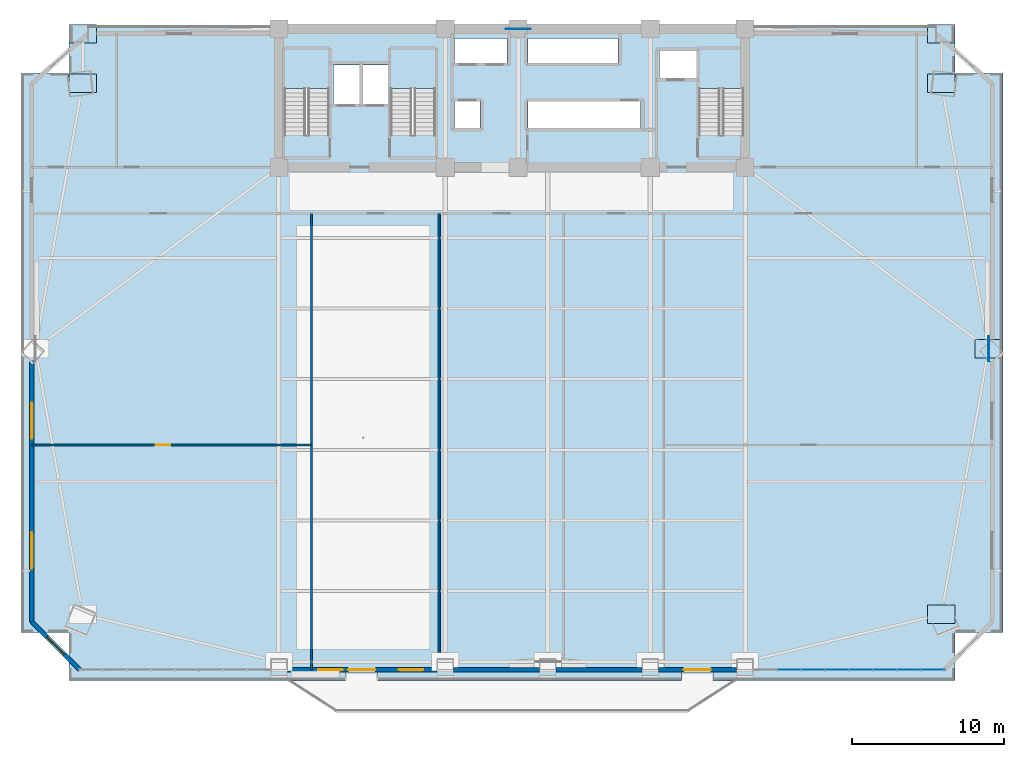
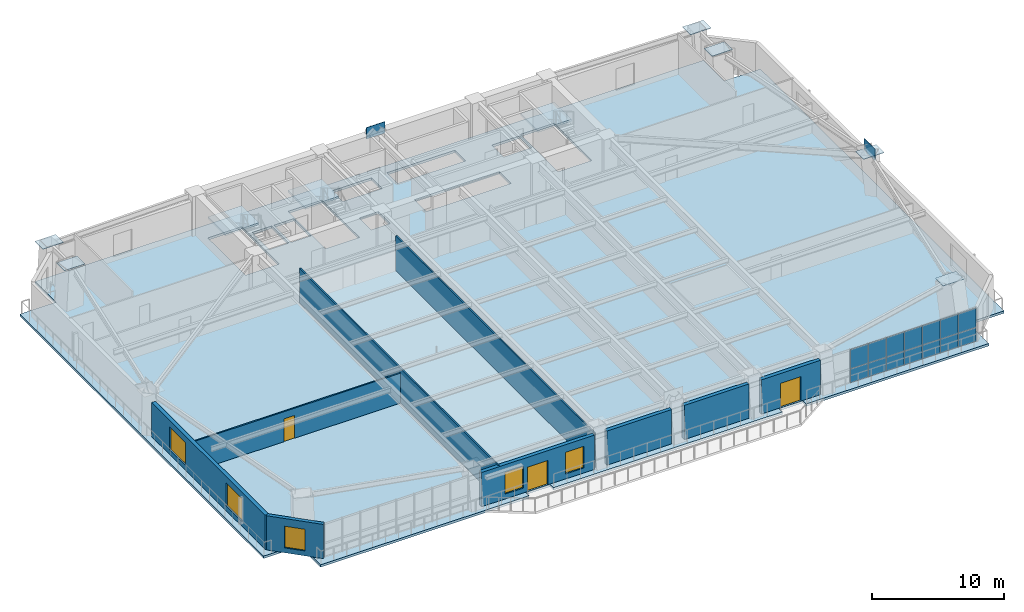
# One storey, part 8 of 17: 22 plates, 9 walls, 5 windows, 4 slabs, 3 doors, 8 openings, 4 elements without a shape of their own.
"""IFC4 building model written with IfcOpenShell, lengths in metres."""

import ifcopenshell
import ifcopenshell.guid

model = None  # the IFC model being written
_history = None  # IfcOwnerHistory: only IFC2X3 demands one
_inside = {}  # id of a spatial element -> (the spatial element, [elements in it])
_under = {}  # id of a project, library or spatial element -> (it, [spatial elements below it])
_declared = {}  # id of a project -> (the project, [libraries it declares])
_typed = {}  # id of a type object -> (the type object, [elements of that type])
_made_of = {}  # id of a material, layer set ... -> (it, [elements and type objects made of it])


def new_model(schema):
    """Start an empty IFC model of exactly this schema.

    Asked for "IFC4X3", IfcOpenShell would pick the latest addendum, in which some entities
    have other attributes; the version numbers below select the first issue.
    IFC2X3 requires an IfcOwnerHistory on every rooted entity: one is made here for all.
    """
    global model, _history
    if schema == "IFC4X3":
        model = ifcopenshell.file(schema_version=(4, 3, 0, 0))
    else:
        model = ifcopenshell.file(schema=schema)
    _inside.clear()
    _under.clear()
    _declared.clear()
    _typed.clear()
    _made_of.clear()
    _history = None
    if model.schema == "IFC2X3":
        org = make("IfcOrganization", Name="unknown")
        user = make(
            "IfcPersonAndOrganization",
            ThePerson=make("IfcPerson", FamilyName="unknown"),
            TheOrganization=org,
        )
        app = make(
            "IfcApplication",
            ApplicationDeveloper=org,
            Version="unknown",
            ApplicationFullName="unknown",
            ApplicationIdentifier="unknown",
        )
        _history = make(
            "IfcOwnerHistory",
            OwningUser=user,
            OwningApplication=app,
            ChangeAction="ADDED",
            CreationDate=0,
        )
    return model


def make(cls, **values):
    """One entity of the class cls with the attributes given. An attribute that is None is left unset."""
    return model.create_entity(
        cls, **{name: value for name, value in values.items() if value is not None}
    )


def rooted(cls, **values):
    """An entity with a GlobalId (a new one), such as an element, a storey or a relation."""
    return make(cls, GlobalId=ifcopenshell.guid.new(), OwnerHistory=_history, **values)


def si_unit(unit_type, name, prefix=None):
    """IfcSIUnit, for example si_unit("LENGTHUNIT", "METRE", prefix="MILLI")."""
    return make("IfcSIUnit", UnitType=unit_type, Prefix=prefix, Name=name)


def assignment(units):
    """IfcUnitAssignment: the units of a project."""
    return None if units is None else make("IfcUnitAssignment", Units=units)


def point(xyz):
    """IfcCartesianPoint."""
    return None if xyz is None else make("IfcCartesianPoint", Coordinates=xyz)


def direction(xyz):
    """IfcDirection."""
    return None if xyz is None else make("IfcDirection", DirectionRatios=xyz)


def frame(location, z_axis=None, x_axis=None):
    """IfcAxis2Placement3D, a coordinate frame: its origin and axes. An axis left out is left unset."""
    return make(
        "IfcAxis2Placement3D",
        Location=point(location),
        Axis=direction(z_axis),
        RefDirection=direction(x_axis),
    )


def frame_2d(location, x_axis=None):
    """IfcAxis2Placement2D, a coordinate frame in the plane: its origin and x axis."""
    return make(
        "IfcAxis2Placement2D", Location=point(location), RefDirection=direction(x_axis)
    )


def origin():
    """The frame at (0, 0, 0) with its axes left unset."""
    return frame((0.0, 0.0, 0.0))


def origin_2d():
    """The frame at (0, 0) in the plane with its x axis left unset."""
    return frame_2d((0.0, 0.0))


def place(relative_to, where):
    """IfcLocalPlacement: puts the frame where relative to a parent placement (None: the world)."""
    return make(
        "IfcLocalPlacement", PlacementRelTo=relative_to, RelativePlacement=where
    )


def context(
    kind, dimensions, precision=None, world=None, true_north=None, identifier=None
):
    """IfcGeometricRepresentationContext, for example the 3D "Model" context."""
    return make(
        "IfcGeometricRepresentationContext",
        ContextIdentifier=identifier,
        ContextType=kind,
        CoordinateSpaceDimension=dimensions,
        Precision=precision,
        WorldCoordinateSystem=world,
        TrueNorth=true_north,
    )


def subcontext(parent, identifier, kind, view, scale=None):
    """IfcGeometricRepresentationSubContext, for example "Body" below "Model"."""
    return make(
        "IfcGeometricRepresentationSubContext",
        ContextIdentifier=identifier,
        ContextType=kind,
        ParentContext=parent,
        TargetScale=scale,
        TargetView=view,
    )


def project(units=None, contexts=None):
    """IfcProject with its units and contexts."""
    return rooted(
        "IfcProject",
        Name="project",
        RepresentationContexts=contexts,
        UnitsInContext=assignment(units),
    )


def spatial(cls, under=None, at=None, **own):
    """A site, building, storey or space (cls), placed at a placement, below another one or the project."""
    s = rooted(cls, ObjectPlacement=at, **own)
    if under is not None:
        _under.setdefault(under.id(), (under, []))[1].append(s)
    return s


def polyline(points):
    """IfcPolyline through the points."""
    return make("IfcPolyline", Points=[point(p) for p in points])


def profile(cls, at=None, kind="AREA", **sizes):
    """A parametric profile (cls). Its sizes go by their IFC names, for example OverallWidth=200.0."""
    return make(cls, ProfileType=kind, Position=at, **sizes)


def rectangle(**sizes):
    """IfcRectangleProfileDef."""
    return profile("IfcRectangleProfileDef", **sizes)


def outline(outer, holes=None, kind="AREA"):
    """IfcArbitraryClosedProfileDef: a profile drawn as a closed curve; with holes, ...WithVoids."""
    if holes is None:
        return make("IfcArbitraryClosedProfileDef", ProfileType=kind, OuterCurve=outer)
    return make(
        "IfcArbitraryProfileDefWithVoids",
        ProfileType=kind,
        OuterCurve=outer,
        InnerCurves=holes,
    )


def extrude(swept, where, along, depth):
    """IfcExtrudedAreaSolid: the profile swept, set in the frame where, extruded along a direction by depth."""
    return make(
        "IfcExtrudedAreaSolid",
        SweptArea=swept,
        Position=where,
        ExtrudedDirection=direction(along),
        Depth=depth,
    )


def shape(context_of_items, identifier, shape_type, items):
    """IfcShapeRepresentation: the items that make up one representation, for example the "Body"."""
    return make(
        "IfcShapeRepresentation",
        ContextOfItems=context_of_items,
        RepresentationIdentifier=identifier,
        RepresentationType=shape_type,
        Items=items,
    )


def source(mapping_origin, context_of_items, identifier, shape_type, items):
    """IfcRepresentationMap: a shape defined once, which mapped items show again and again."""
    return make(
        "IfcRepresentationMap",
        MappingOrigin=mapping_origin,
        MappedRepresentation=shape(context_of_items, identifier, shape_type, items),
    )


def transform(
    local_origin,
    x_axis=None,
    y_axis=None,
    z_axis=None,
    scale=None,
    scale2=None,
    scale3=None,
    uniform=True,
):
    """IfcCartesianTransformationOperator3D, or its non-uniform kind. x_axis, y_axis, z_axis: its Axis1, 2, 3."""
    if uniform:
        return make(
            "IfcCartesianTransformationOperator3D",
            Axis1=direction(x_axis),
            Axis2=direction(y_axis),
            LocalOrigin=point(local_origin),
            Scale=scale,
            Axis3=direction(z_axis),
        )
    return make(
        "IfcCartesianTransformationOperator3DnonUniform",
        Axis1=direction(x_axis),
        Axis2=direction(y_axis),
        LocalOrigin=point(local_origin),
        Scale=scale,
        Axis3=direction(z_axis),
        Scale2=scale2,
        Scale3=scale3,
    )


def mapped(mapping_source, mapping_target):
    """IfcMappedItem: shows the shape of a source again, moved by a transform."""
    return make(
        "IfcMappedItem", MappingSource=mapping_source, MappingTarget=mapping_target
    )


def material(Name=None, Category=None):
    """IfcMaterial."""
    return make("IfcMaterial", Name=Name, Category=Category)


def layer(
    of_material, thickness, ventilated=None, Name=None, Category=None, Priority=None
):
    """IfcMaterialLayer: one layer of a wall or slab, of a material (None: an air gap)."""
    return make(
        "IfcMaterialLayer",
        Material=of_material,
        LayerThickness=thickness,
        IsVentilated=ventilated,
        Name=Name,
        Category=Category,
        Priority=Priority,
    )


def layer_set(layers, Name=None):
    """IfcMaterialLayerSet."""
    return make("IfcMaterialLayerSet", MaterialLayers=layers, LayerSetName=Name)


def made_of(thing, what):
    """Note that an element or type object is made of a material, layer set ...; save() writes the relation."""
    if what is not None:
        _made_of.setdefault(what.id(), (what, []))[1].append(thing)
    return thing


def type_object(cls, material=None, **own):
    """A type object (cls), such as IfcWallType, which elements share."""
    return made_of(rooted(cls, **own), material)


def element(
    cls,
    number,
    at=None,
    inside=None,
    cuts=None,
    type_object=None,
    material=None,
    context=None,
    identifier="Body",
    shape_type=None,
    held_by="IfcProductDefinitionShape",
    body=None,
    shapes=None,
    **own,
):
    """One element of the class cls, such as IfcWall. Its Tag is "e" and its number.

    at: its placement. inside: the storey or other place that contains it. cuts: it is an
    opening in that element (IfcRelVoidsElement). A single representation is given by context,
    identifier, shape_type and body (its items); several are given by shapes. held_by: the class
    of the entity that holds the representations. save() writes the other relations.
    """
    e = rooted(cls, Tag="e%d" % number, ObjectPlacement=at, **own)
    if body is not None:
        shapes = [shape(context, identifier, shape_type, body)]
    if shapes is not None:
        e.Representation = make(held_by, Representations=shapes)
    if inside is not None:
        _inside.setdefault(inside.id(), (inside, []))[1].append(e)
    if cuts is not None:
        rooted(
            "IfcRelVoidsElement", RelatingBuildingElement=cuts, RelatedOpeningElement=e
        )
    if type_object is not None:
        _typed.setdefault(type_object.id(), (type_object, []))[1].append(e)
    return made_of(e, material)


def fill(opening, filler):
    """IfcRelFillsElement: the door or window that sits in an opening."""
    return rooted(
        "IfcRelFillsElement",
        RelatingOpeningElement=opening,
        RelatedBuildingElement=filler,
    )


def aggregate(whole, parts):
    """IfcRelAggregates: a whole, such as a stair, and the parts it consists of."""
    return rooted("IfcRelAggregates", RelatingObject=whole, RelatedObjects=parts)


def save(model, path):
    """Write the relations noted so far, then the file.

    IfcRelAggregates (storeys below a building ...), IfcRelContainedInSpatialStructure (elements
    in a storey), IfcRelDefinesByType, IfcRelAssociatesMaterial and IfcRelDeclares: one each for
    every whole, place, type object, material and project.
    """
    for whole, parts in _under.values():
        aggregate(whole, parts)
    for where, things in _inside.values():
        rooted(
            "IfcRelContainedInSpatialStructure",
            RelatedElements=things,
            RelatingStructure=where,
        )
    for kind, things in _typed.values():
        rooted("IfcRelDefinesByType", RelatedObjects=things, RelatingType=kind)
    for what, things in _made_of.values():
        rooted("IfcRelAssociatesMaterial", RelatedObjects=things, RelatingMaterial=what)
    for by, libraries in _declared.values():
        rooted("IfcRelDeclares", RelatingContext=by, RelatedDefinitions=libraries)
    model.write(path)


model = new_model("IFC4")

# Units and contexts
model_context = context("Model", 3, precision=1e-05, world=origin(), true_north=direction((0.0, 1.0)))
body_context = subcontext(model_context, "Body", "Model", "MODEL_VIEW")
ifc_project = project(units=[si_unit("LENGTHUNIT", "METRE"), si_unit("AREAUNIT", "SQUARE_METRE"), si_unit("VOLUMEUNIT", "CUBIC_METRE"), si_unit("PLANEANGLEUNIT", "RADIAN"), si_unit("MASSUNIT", "GRAM", prefix="KILO")], contexts=[model_context])

# Site, building, storey
site_placement = place(None, origin())
site = spatial("IfcSite", under=ifc_project, at=site_placement, CompositionType="ELEMENT")
building_placement = place(site_placement, origin())
building = spatial("IfcBuilding", under=site, at=building_placement, Name="Giltprow Tower", CompositionType="ELEMENT")
storey_placement = place(building_placement, frame((0.0, 0.0, 57.199951171875)))
storey = spatial("IfcBuildingStorey", under=building, at=storey_placement, Name="L14", CompositionType="ELEMENT", Elevation=57.199951171875)

# Slab
ifc_material_1 = material(Name="Concrete C40", Category="concrete")
ifc_layer_1 = layer(ifc_material_1, 0.219970703125, Name="Concrete C40")
ifc_layer_set_1 = layer_set([ifc_layer_1], Name="Concrete C40")
slab_type_1 = type_object("IfcSlabType", Name="SLB-OFF-220", PredefinedType="FLOOR", material=ifc_layer_set_1)
slab_1_placement = place(storey_placement, frame((0.0, 0.0, -0.219970703125)))
element("IfcSlab", 1, at=slab_1_placement, inside=storey, type_object=slab_type_1, Name="L14 Structural Composite Floor Slab", PredefinedType="FLOOR", context=body_context, shape_type="SweptSolid", body=[
    extrude(outline(polyline([(6.01806640625, 3.654052734375), (6.01806640625, 6.802001953125), (2.8701171875, 6.802001953125), (2.8701171875, 43.652099609375), (6.01806640625, 43.652099609375), (6.01806640625, 46.800048828125), (64.382080078125, 46.800048828125), (64.382080078125, 43.652099609375), (67.530029296875, 43.652099609375), (67.530029296875, 6.802001953125), (64.382080078125, 6.802001953125), (64.382080078125, 3.654052734375), (48.449951171875, 3.654052734375), (48.449951171875, 4.174072265625), (46.35009765625, 4.174072265625), (46.35009765625, 3.654052734375), (26.35009765625, 3.654052734375), (26.35009765625, 4.174072265625), (24.25, 4.174072265625), (24.25, 3.654052734375), (6.01806640625, 3.654052734375)]), holes=[polyline([(33.10009765625, 41.800048828125), (31.419921875, 41.800048828125), (31.419921875, 40.0), (33.10009765625, 40.0), (33.10009765625, 41.800048828125)]), polyline([(23.159912109375, 39.570068359375), (23.159912109375, 45.25), (20.199951171875, 45.25), (20.199951171875, 39.570068359375), (23.159912109375, 39.570068359375)]), polyline([(30.159912109375, 45.25), (27.199951171875, 45.25), (27.199951171875, 39.570068359375), (30.159912109375, 39.570068359375), (30.159912109375, 45.25)]), polyline([(25.169921875, 41.60009765625), (25.169921875, 44.199951171875), (23.449951171875, 44.199951171875), (23.449951171875, 41.60009765625), (25.169921875, 41.60009765625)]), polyline([(27.10009765625, 41.60009765625), (27.10009765625, 44.199951171875), (25.35009765625, 44.199951171875), (25.35009765625, 41.60009765625), (27.10009765625, 41.60009765625)]), polyline([(43.659912109375, 40.0), (43.659912109375, 41.800048828125), (36.239990234375, 41.800048828125), (36.239990234375, 40.0), (43.659912109375, 40.0)]), polyline([(50.4599609375, 39.570068359375), (50.4599609375, 45.25), (47.5, 45.25), (47.5, 39.570068359375), (50.4599609375, 39.570068359375)]), polyline([(47.3798828125, 45.10009765625), (44.919921875, 45.10009765625), (44.919921875, 43.300048828125), (47.3798828125, 43.300048828125), (47.3798828125, 45.10009765625)]), polyline([(34.8798828125, 44.300048828125), (34.8798828125, 45.919921875), (31.419921875, 45.919921875), (31.419921875, 44.300048828125), (34.8798828125, 44.300048828125)]), polyline([(42.169921875, 44.300048828125), (42.169921875, 45.919921875), (36.239990234375, 45.919921875), (36.239990234375, 44.300048828125), (42.169921875, 44.300048828125)])]), origin(), (0.0, 0.0, 1.0), 0.219970703125),
])

# Stair, slab
stair_type_1 = type_object("IfcStairType", Name="STR-ST-1", PredefinedType="HALF_TURN_STAIR", material=ifc_material_1)
stair_1_placement = place(storey_placement, origin())
stair_1 = element("IfcStair", 2, at=stair_1_placement, inside=storey, type_object=stair_type_1, Name="L14 Core Exit Stair ST-1", PredefinedType="HALF_TURN_STAIR")
ifc_layer_2 = layer(ifc_material_1, 0.179931640625, Name="Concrete C40")
ifc_layer_set_2 = layer_set([ifc_layer_2], Name="Concrete C40")
slab_type_2 = type_object("IfcSlabType", Name="SLD-ST-1", PredefinedType="LANDING", material=ifc_layer_set_2)
slab_2_placement = place(storey_placement, frame((0.0, 0.0, 1.77001953125)))
slab_2 = element("IfcSlab", 3, at=slab_2_placement, type_object=slab_type_2, Name="ST-1 landing 1", PredefinedType="LANDING", context=body_context, shape_type="SweptSolid", body=[
    extrude(outline(polyline([(23.159912109375, 42.6298828125), (23.159912109375, 45.25), (20.199951171875, 45.25), (20.199951171875, 42.6298828125), (23.159912109375, 42.6298828125)])), origin(), (0.0, 0.0, 1.0), 0.179931640625),
])
aggregate(stair_1, [slab_2])

stair_type_2 = type_object("IfcStairType", Name="STR-ST-2", PredefinedType="HALF_TURN_STAIR", material=ifc_material_1)
stair_2_placement = place(storey_placement, origin())
stair_2 = element("IfcStair", 4, at=stair_2_placement, inside=storey, type_object=stair_type_2, Name="L14 Core Exit Stair ST-2", PredefinedType="HALF_TURN_STAIR")
ifc_layer_3 = layer(ifc_material_1, 0.18798828125, Name="Concrete C40")
ifc_layer_set_3 = layer_set([ifc_layer_3], Name="Concrete C40")
slab_type_3 = type_object("IfcSlabType", Name="SLD-ST-2", PredefinedType="LANDING", material=ifc_layer_set_3)
slab_3_placement = place(storey_placement, frame((0.0, 0.0, 1.761962890625)))
slab_3 = element("IfcSlab", 5, at=slab_3_placement, type_object=slab_type_3, Name="ST-2 landing 1", PredefinedType="LANDING", context=body_context, shape_type="SweptSolid", body=[
    extrude(outline(polyline([(30.159912109375, 42.6298828125), (30.159912109375, 45.25), (27.199951171875, 45.25), (27.199951171875, 42.6298828125), (30.159912109375, 42.6298828125)])), origin(), (0.0, 0.0, 1.0), 0.18798828125),
])
aggregate(stair_2, [slab_3])

stair_type_3 = type_object("IfcStairType", Name="STR-ST-3", PredefinedType="HALF_TURN_STAIR", material=ifc_material_1)
stair_3_placement = place(storey_placement, origin())
stair_3 = element("IfcStair", 6, at=stair_3_placement, inside=storey, type_object=stair_type_3, Name="L14 Core Exit Stair ST-3", PredefinedType="HALF_TURN_STAIR")
ifc_layer_4 = layer(ifc_material_1, 0.196044921875, Name="Concrete C40")
ifc_layer_set_4 = layer_set([ifc_layer_4], Name="Concrete C40")
slab_type_4 = type_object("IfcSlabType", Name="SLD-ST-3", PredefinedType="LANDING", material=ifc_layer_set_4)
slab_4_placement = place(storey_placement, frame((0.0, 0.0, 1.754150390625)))
slab_4 = element("IfcSlab", 7, at=slab_4_placement, type_object=slab_type_4, Name="ST-3 landing 1", PredefinedType="LANDING", context=body_context, shape_type="SweptSolid", body=[
    extrude(outline(polyline([(50.4599609375, 42.6298828125), (50.4599609375, 45.25), (47.5, 45.25), (47.5, 42.6298828125), (50.4599609375, 42.6298828125)])), origin(), (0.0, 0.0, 1.0), 0.19580078125),
])
aggregate(stair_3, [slab_4])

# Plates
ifc_material_2 = material(Name="Structural steel Q420GJC", Category="steel")
plate_type_1 = type_object("IfcPlateType", Name="PLT-NODE-CKN1", PredefinedType="USERDEFINED", material=ifc_material_2)
shared_shape_1 = source(origin(), body_context, "Body", "SweptSolid", [
    extrude(rectangle(XDim=1.800048828125, YDim=1.199951171875, at=origin_2d()), origin(), (0.0, 0.0, 1.0), 0.044921875),
])
for number, where, z_axis, x_axis, name in (
    (8, (63.47412109375, 8.00390625, 3.6376953125), (0.0, 0.0, 1.0), (1.0, 0.0, 0.0), "CKN1 Column Taper Splice Node L14-MC_SE"),
    (9, (6.927001953125, 42.97802734375, 3.6376953125), (0.0, 0.0, 1.0), (1.0, 0.0, 0.0), "CKN1 Column Taper Splice Node L14-MC_NW"),
    (10, (63.47412109375, 42.97802734375, 3.6376953125), (0.0, 0.0, 1.0), (1.0, 0.0, 0.0), "CKN1 Column Taper Splice Node L14-MC_NE"),
    (11, (66.595947265625, 25.490966796875, 3.6376953125), (0.0, 0.0, 1.0), (1.0, 0.0, 0.0), "CKN1 Column Taper Splice Node L14-E_MID"),
    (12, (6.927001953125, 46.25, 3.6376953125), (0.0, 0.0, 1.0), (1.0, 0.0, 0.0), "CKN1 Column Taper Splice Node L14-N_W"),
    (13, (63.47412109375, 46.25, 3.6376953125), (0.0, 0.0, 1.0), (1.0, 0.0, 0.0), "CKN1 Column Taper Splice Node L14-N_E"),
):
    element("IfcPlate", number, at=place(storey_placement, frame(where, z_axis=z_axis, x_axis=x_axis)), inside=storey, type_object=plate_type_1, Name=name, ObjectType="SPLICE", PredefinedType="USERDEFINED", context=body_context, shape_type="MappedRepresentation", body=[
        mapped(shared_shape_1, transform((0.0, 0.0, 0.0), x_axis=(1.0, 0.0, 0.0), y_axis=(0.0, 1.0, 0.0), z_axis=(0.0, 0.0, 1.0), scale=1.0)),
    ])
plate_type_2 = type_object("IfcPlateType", Name="PLT-NODE-MBN2", PredefinedType="USERDEFINED", material=ifc_material_2)
shared_shape_2 = source(origin(), body_context, "Body", "SweptSolid", [
    extrude(rectangle(XDim=1.64990234375, YDim=0.044921875, at=origin_2d()), origin(), (0.0, 0.0, 1.0), 1.050048828125),
])
for number, where, z_axis, x_axis, name in (
    (14, (35.60009765625, 46.550048828125, 3.23486328125), (0.0, 0.0, 1.0), (1.0, 0.0, 0.0), "Mega-Brace Node L14-N-LB"),
    (15, (66.595947265625, 25.490966796875, 3.375), (0.0, 0.0, 1.0), (0.0, 1.0, 0.0), "Mega-Brace Node L14-E-RB"),
):
    element("IfcPlate", number, at=place(storey_placement, frame(where, z_axis=z_axis, x_axis=x_axis)), inside=storey, type_object=plate_type_2, Name=name, ObjectType="GUSSET", PredefinedType="USERDEFINED", context=body_context, shape_type="MappedRepresentation", body=[
        mapped(shared_shape_2, transform((0.0, 0.0, 0.0), x_axis=(1.0, 0.0, 0.0), y_axis=(0.0, 1.0, 0.0), z_axis=(0.0, 0.0, 1.0), scale=1.0)),
    ])

# Curtain wall, plates
ifc_material_3 = material(Name="Anodized bronze", Category="metal")
ifc_layer_5 = layer(ifc_material_3, 0.179931640625, Name="Anodized bronze")
ifc_layer_set_5 = layer_set([ifc_layer_5], Name="Anodized bronze")
curtain_wall_type = type_object("IfcCurtainWallType", Name="CW-OFF-RECESSED", PredefinedType="NOTDEFINED", material=ifc_layer_set_5)
curtain_wall_placement = place(storey_placement, origin())
curtain_wall = element("IfcCurtainWall", 16, at=curtain_wall_placement, inside=storey, type_object=curtain_wall_type, Name="L14 South Recessed Curtain Wall 6", PredefinedType="NOTDEFINED")
ifc_material_4 = material(Name="Insulated glass", Category="glass")
plate_type_3 = type_object("IfcPlateType", Name="CW-PANEL-IGU-28", PredefinedType="CURTAIN_PANEL", material=ifc_material_4)
shared_shape_3 = source(origin(), body_context, "Body", "SweptSolid", [
    extrude(rectangle(XDim=1.54296875, YDim=0.028076171875, at=origin_2d()), origin(), (0.0, 0.0, 1.0), 1.259033203125),
])
plate_1_placement = place(storey_placement, frame((53.458984375, 4.35400390625, 0.0537109375), z_axis=(0.0, 0.0, 1.0), x_axis=(1.0, 0.0, 0.0)))
plate_1 = element("IfcPlate", 17, at=plate_1_placement, type_object=plate_type_3, Name="L14 South Recessed Curtain Wall 6 Glazing Panel 2-1", PredefinedType="CURTAIN_PANEL", context=body_context, shape_type="MappedRepresentation", body=[
    mapped(shared_shape_3, transform((0.0, 0.0, 0.0), x_axis=(1.0, 0.0, 0.0), y_axis=(0.0, 1.0, 0.0), z_axis=(0.0, 0.0, 1.0), scale=1.0)),
])
plate_2_placement = place(storey_placement, frame((55.031982421875, 4.35400390625, 0.0537109375), z_axis=(0.0, 0.0, 1.0), x_axis=(1.0, 0.0, 0.0)))
plate_2 = element("IfcPlate", 18, at=plate_2_placement, type_object=plate_type_3, Name="L14 South Recessed Curtain Wall 6 Glazing Panel 3-1", PredefinedType="CURTAIN_PANEL", context=body_context, shape_type="MappedRepresentation", body=[
    mapped(shared_shape_3, transform((0.0, 0.0, 0.0), x_axis=(1.0, 0.0, 0.0), y_axis=(0.0, 1.0, 0.0), z_axis=(0.0, 0.0, 1.0), scale=1.0)),
])
plate_3_placement = place(storey_placement, frame((56.60498046875, 4.35400390625, 0.0537109375), z_axis=(0.0, 0.0, 1.0), x_axis=(1.0, 0.0, 0.0)))
plate_3 = element("IfcPlate", 19, at=plate_3_placement, type_object=plate_type_3, Name="L14 South Recessed Curtain Wall 6 Glazing Panel 4-1", PredefinedType="CURTAIN_PANEL", context=body_context, shape_type="MappedRepresentation", body=[
    mapped(shared_shape_3, transform((0.0, 0.0, 0.0), x_axis=(1.0, 0.0, 0.0), y_axis=(0.0, 1.0, 0.0), z_axis=(0.0, 0.0, 1.0), scale=1.0)),
])
plate_4_placement = place(storey_placement, frame((58.177001953125, 4.35400390625, 0.0537109375), z_axis=(0.0, 0.0, 1.0), x_axis=(1.0, 0.0, 0.0)))
plate_4 = element("IfcPlate", 20, at=plate_4_placement, type_object=plate_type_3, Name="L14 South Recessed Curtain Wall 6 Glazing Panel 5-1", PredefinedType="CURTAIN_PANEL", context=body_context, shape_type="MappedRepresentation", body=[
    mapped(shared_shape_3, transform((0.0, 0.0, 0.0), x_axis=(1.0, 0.0, 0.0), y_axis=(0.0, 1.0, 0.0), z_axis=(0.0, 0.0, 1.0), scale=1.0)),
])
plate_5_placement = place(storey_placement, frame((59.75, 4.35400390625, 0.0537109375), z_axis=(0.0, 0.0, 1.0), x_axis=(1.0, 0.0, 0.0)))
plate_5 = element("IfcPlate", 21, at=plate_5_placement, type_object=plate_type_3, Name="L14 South Recessed Curtain Wall 6 Glazing Panel 6-1", PredefinedType="CURTAIN_PANEL", context=body_context, shape_type="MappedRepresentation", body=[
    mapped(shared_shape_3, transform((0.0, 0.0, 0.0), x_axis=(1.0, 0.0, 0.0), y_axis=(0.0, 1.0, 0.0), z_axis=(0.0, 0.0, 1.0), scale=1.0)),
])
plate_6_placement = place(storey_placement, frame((61.322998046875, 4.35400390625, 0.0537109375), z_axis=(0.0, 0.0, 1.0), x_axis=(1.0, 0.0, 0.0)))
plate_6 = element("IfcPlate", 22, at=plate_6_placement, type_object=plate_type_3, Name="L14 South Recessed Curtain Wall 6 Glazing Panel 7-1", PredefinedType="CURTAIN_PANEL", context=body_context, shape_type="MappedRepresentation", body=[
    mapped(shared_shape_3, transform((0.0, 0.0, 0.0), x_axis=(1.0, 0.0, 0.0), y_axis=(0.0, 1.0, 0.0), z_axis=(0.0, 0.0, 1.0), scale=1.0)),
])
plate_7_placement = place(storey_placement, frame((62.89599609375, 4.35400390625, 0.0537109375), z_axis=(0.0, 0.0, 1.0), x_axis=(1.0, 0.0, 0.0)))
plate_7 = element("IfcPlate", 23, at=plate_7_placement, type_object=plate_type_3, Name="L14 South Recessed Curtain Wall 6 Glazing Panel 8-1", PredefinedType="CURTAIN_PANEL", context=body_context, shape_type="MappedRepresentation", body=[
    mapped(shared_shape_3, transform((0.0, 0.0, 0.0), x_axis=(1.0, 0.0, 0.0), y_axis=(0.0, 1.0, 0.0), z_axis=(0.0, 0.0, 1.0), scale=1.0)),
])
shared_shape_4 = source(origin(), body_context, "Body", "SweptSolid", [
    extrude(rectangle(XDim=1.54296875, YDim=0.028076171875, at=origin_2d()), origin(), (0.0, 0.0, 1.0), 1.764892578125),
])
plate_8_placement = place(storey_placement, frame((53.458984375, 4.35400390625, 1.341796875), z_axis=(0.0, 0.0, 1.0), x_axis=(1.0, 0.0, 0.0)))
plate_8 = element("IfcPlate", 24, at=plate_8_placement, type_object=plate_type_3, Name="L14 South Recessed Curtain Wall 6 Glazing Panel 2-2", PredefinedType="CURTAIN_PANEL", context=body_context, shape_type="MappedRepresentation", body=[
    mapped(shared_shape_4, transform((0.0, 0.0, 0.0), x_axis=(1.0, 0.0, 0.0), y_axis=(0.0, 1.0, 0.0), z_axis=(0.0, 0.0, 1.0), scale=1.0)),
])
plate_9_placement = place(storey_placement, frame((55.031982421875, 4.35400390625, 1.341796875), z_axis=(0.0, 0.0, 1.0), x_axis=(1.0, 0.0, 0.0)))
plate_9 = element("IfcPlate", 25, at=plate_9_placement, type_object=plate_type_3, Name="L14 South Recessed Curtain Wall 6 Glazing Panel 3-2", PredefinedType="CURTAIN_PANEL", context=body_context, shape_type="MappedRepresentation", body=[
    mapped(shared_shape_4, transform((0.0, 0.0, 0.0), x_axis=(1.0, 0.0, 0.0), y_axis=(0.0, 1.0, 0.0), z_axis=(0.0, 0.0, 1.0), scale=1.0)),
])
plate_10_placement = place(storey_placement, frame((56.60498046875, 4.35400390625, 1.341796875), z_axis=(0.0, 0.0, 1.0), x_axis=(1.0, 0.0, 0.0)))
plate_10 = element("IfcPlate", 26, at=plate_10_placement, type_object=plate_type_3, Name="L14 South Recessed Curtain Wall 6 Glazing Panel 4-2", PredefinedType="CURTAIN_PANEL", context=body_context, shape_type="MappedRepresentation", body=[
    mapped(shared_shape_4, transform((0.0, 0.0, 0.0), x_axis=(1.0, 0.0, 0.0), y_axis=(0.0, 1.0, 0.0), z_axis=(0.0, 0.0, 1.0), scale=1.0)),
])
plate_11_placement = place(storey_placement, frame((58.177001953125, 4.35400390625, 1.341796875), z_axis=(0.0, 0.0, 1.0), x_axis=(1.0, 0.0, 0.0)))
plate_11 = element("IfcPlate", 27, at=plate_11_placement, type_object=plate_type_3, Name="L14 South Recessed Curtain Wall 6 Glazing Panel 5-2", PredefinedType="CURTAIN_PANEL", context=body_context, shape_type="MappedRepresentation", body=[
    mapped(shared_shape_4, transform((0.0, 0.0, 0.0), x_axis=(1.0, 0.0, 0.0), y_axis=(0.0, 1.0, 0.0), z_axis=(0.0, 0.0, 1.0), scale=1.0)),
])
plate_12_placement = place(storey_placement, frame((59.75, 4.35400390625, 1.341796875), z_axis=(0.0, 0.0, 1.0), x_axis=(1.0, 0.0, 0.0)))
plate_12 = element("IfcPlate", 28, at=plate_12_placement, type_object=plate_type_3, Name="L14 South Recessed Curtain Wall 6 Glazing Panel 6-2", PredefinedType="CURTAIN_PANEL", context=body_context, shape_type="MappedRepresentation", body=[
    mapped(shared_shape_4, transform((0.0, 0.0, 0.0), x_axis=(1.0, 0.0, 0.0), y_axis=(0.0, 1.0, 0.0), z_axis=(0.0, 0.0, 1.0), scale=1.0)),
])
plate_13_placement = place(storey_placement, frame((61.322998046875, 4.35400390625, 1.341796875), z_axis=(0.0, 0.0, 1.0), x_axis=(1.0, 0.0, 0.0)))
plate_13 = element("IfcPlate", 29, at=plate_13_placement, type_object=plate_type_3, Name="L14 South Recessed Curtain Wall 6 Glazing Panel 7-2", PredefinedType="CURTAIN_PANEL", context=body_context, shape_type="MappedRepresentation", body=[
    mapped(shared_shape_4, transform((0.0, 0.0, 0.0), x_axis=(1.0, 0.0, 0.0), y_axis=(0.0, 1.0, 0.0), z_axis=(0.0, 0.0, 1.0), scale=1.0)),
])
plate_14_placement = place(storey_placement, frame((62.89599609375, 4.35400390625, 1.341796875), z_axis=(0.0, 0.0, 1.0), x_axis=(1.0, 0.0, 0.0)))
plate_14 = element("IfcPlate", 30, at=plate_14_placement, type_object=plate_type_3, Name="L14 South Recessed Curtain Wall 6 Glazing Panel 8-2", PredefinedType="CURTAIN_PANEL", context=body_context, shape_type="MappedRepresentation", body=[
    mapped(shared_shape_4, transform((0.0, 0.0, 0.0), x_axis=(1.0, 0.0, 0.0), y_axis=(0.0, 1.0, 0.0), z_axis=(0.0, 0.0, 1.0), scale=1.0)),
])
aggregate(curtain_wall, [plate_1, plate_8, plate_2, plate_9, plate_3, plate_10, plate_4, plate_11, plate_5, plate_12, plate_6, plate_13, plate_7, plate_14])

# Wall, opening, window
ifc_material_5 = material(Name="Precast concrete C40", Category="concrete")
ifc_layer_6 = layer(ifc_material_5, 0.300048828125, Name="Precast concrete C40")
ifc_layer_set_6 = layer_set([ifc_layer_6], Name="Precast concrete C40")
wall_type_1 = type_object("IfcWallType", Name="EW-NOTCH-CHAMFER-300", PredefinedType="SOLIDWALL", material=ifc_layer_set_6)
wall_1_placement = place(storey_placement, frame((3.570068359375, 7.501953125, 0.0), z_axis=(0.0, 0.0, 1.0), x_axis=(0.707106781187, -0.707106781187, 0.0)))
wall_1 = element("IfcWall", 31, at=wall_1_placement, inside=storey, type_object=wall_type_1, Name="L14 Corner Notch Wall SW", PredefinedType="SOLIDWALL", context=body_context, shape_type="SweptSolid", body=[
    extrude(rectangle(XDim=4.451904296875, YDim=0.300048828125, at=frame_2d((2.22607421875, 0.0))), origin(), (0.0, 0.0, 1.0), 3.16015625),
])
opening_1_placement = place(wall_1_placement, frame((1.426025390625, 0.0, 0.449951171875)))
opening_1 = element("IfcOpeningElement", 32, at=opening_1_placement, cuts=wall_1, Name="Opening WN17", PredefinedType="OPENING", context=body_context, shape_type="SweptSolid", body=[
    extrude(rectangle(XDim=1.60009765625, YDim=2.0, at=frame_2d((0.800048828125, 1.0))), frame((0.0, 0.159912109375, 0.0), z_axis=(0.0, -1.0, 0.0), x_axis=(1.0, 0.0, 0.0)), (0.0, 0.0, 1.0), 0.320068359375),
])
window_type_1 = type_object("IfcWindowType", Name="WN-COR-1600x2000", PartitioningType="SINGLE_PANEL", PredefinedType="WINDOW", material=ifc_material_4)
shared_shape_5 = source(origin(), body_context, "Body", "SweptSolid", [
    extrude(rectangle(XDim=1.60009765625, YDim=2.0, at=frame_2d((0.800048828125, 1.0))), frame((0.0, 0.030029296875, 0.0), z_axis=(0.0, -1.0, 0.0), x_axis=(1.0, 0.0, 0.0)), (0.0, 0.0, 1.0), 0.06005859375),
])
window_1_placement = place(opening_1_placement, origin())
window_1 = element("IfcWindow", 33, at=window_1_placement, inside=storey, type_object=window_type_1, Name="L14 Corner Notch Window SW", OverallHeight=2.0, OverallWidth=1.60009765625, PartitioningType="SINGLE_PANEL", PredefinedType="WINDOW", context=body_context, shape_type="MappedRepresentation", body=[
    mapped(shared_shape_5, transform((0.0, 0.0, 0.0), x_axis=(1.0, 0.0, 0.0), y_axis=(0.0, 1.0, 0.0), z_axis=(0.0, 0.0, 1.0), scale=1.0)),
])
fill(opening_1, window_1)

# Wall, openings, windows, door
ifc_layer_7 = layer(ifc_material_5, 0.320068359375, Name="Precast concrete C40")
ifc_layer_set_7 = layer_set([ifc_layer_7], Name="Precast concrete C40")
wall_type_2 = type_object("IfcWallType", Name="EW-TOW-STONE-320", PredefinedType="SOLIDWALL", material=ifc_layer_set_7)
wall_2_placement = place(storey_placement, frame((20.39990234375, 4.35400390625, 0.0), z_axis=(0.0, 0.0, 1.0), x_axis=(1.0, 0.0, 0.0)))
wall_2 = element("IfcWall", 34, at=wall_2_placement, inside=storey, type_object=wall_type_2, Name="L14 South Expressed Frame Wall 2", PredefinedType="SOLIDWALL", context=body_context, shape_type="SweptSolid", body=[
    extrude(rectangle(XDim=9.85009765625, YDim=0.320068359375, at=frame_2d((4.925048828125, 0.0))), origin(), (0.0, 0.0, 1.0), 3.16015625),
])
opening_2_placement = place(wall_2_placement, frame((4.0, 0.0, 0.0)))
opening_2 = element("IfcOpeningElement", 35, at=opening_2_placement, cuts=wall_2, Name="Opening ED25", PredefinedType="OPENING", context=body_context, shape_type="SweptSolid", body=[
    extrude(rectangle(XDim=1.800048828125, YDim=2.25, at=frame_2d((0.89990234375, 1.125))), frame((0.0, 0.169921875, 0.0), z_axis=(0.0, -1.0, 0.0), x_axis=(1.0, 0.0, 0.0)), (0.0, 0.0, 1.0), 0.340087890625),
])
opening_3_placement = place(wall_2_placement, frame((2.044921875, 0.0, 0.449951171875)))
opening_3 = element("IfcOpeningElement", 36, at=opening_3_placement, cuts=wall_2, Name="Opening WN17", PredefinedType="OPENING", context=body_context, shape_type="SweptSolid", body=[
    extrude(rectangle(XDim=1.60009765625, YDim=2.0, at=frame_2d((0.800048828125, 1.0))), frame((0.0, 0.169921875, 0.0), z_axis=(0.0, -1.0, 0.0), x_axis=(1.0, 0.0, 0.0)), (0.0, 0.0, 1.0), 0.340087890625),
])
opening_4_placement = place(wall_2_placement, frame((7.35009765625, 0.0, 0.449951171875)))
opening_4 = element("IfcOpeningElement", 37, at=opening_4_placement, cuts=wall_2, Name="Opening WN17", PredefinedType="OPENING", context=body_context, shape_type="SweptSolid", body=[
    extrude(rectangle(XDim=1.60009765625, YDim=2.0, at=frame_2d((0.800048828125, 1.0))), frame((0.0, 0.169921875, 0.0), z_axis=(0.0, -1.0, 0.0), x_axis=(1.0, 0.0, 0.0)), (0.0, 0.0, 1.0), 0.340087890625),
])
window_2_placement = place(opening_3_placement, origin())
window_2 = element("IfcWindow", 38, at=window_2_placement, inside=storey, type_object=window_type_1, Name="L14 South Window 2A", OverallHeight=2.0, OverallWidth=1.60009765625, PartitioningType="SINGLE_PANEL", PredefinedType="WINDOW", context=body_context, shape_type="MappedRepresentation", body=[
    mapped(shared_shape_5, transform((0.0, 0.0, 0.0), x_axis=(1.0, 0.0, 0.0), y_axis=(0.0, 1.0, 0.0), z_axis=(0.0, 0.0, 1.0), scale=1.0)),
])
fill(opening_3, window_2)
window_3_placement = place(opening_4_placement, origin())
window_3 = element("IfcWindow", 39, at=window_3_placement, inside=storey, type_object=window_type_1, Name="L14 South Window 2B", OverallHeight=2.0, OverallWidth=1.60009765625, PartitioningType="SINGLE_PANEL", PredefinedType="WINDOW", context=body_context, shape_type="MappedRepresentation", body=[
    mapped(shared_shape_5, transform((0.0, 0.0, 0.0), x_axis=(1.0, 0.0, 0.0), y_axis=(0.0, 1.0, 0.0), z_axis=(0.0, 0.0, 1.0), scale=1.0)),
])
fill(opening_4, window_3)
ifc_material_6 = material(Name="Anodized bronze and glass", Category="glass")
door_type_1 = type_object("IfcDoorType", Name="DR-BALC-SLIDE-1800", OperationType="SLIDING_TO_LEFT", PredefinedType="DOOR", material=ifc_material_6)
shared_shape_6 = source(origin(), body_context, "Body", "SweptSolid", [
    extrude(rectangle(XDim=1.800048828125, YDim=2.25, at=frame_2d((0.89990234375, 1.125))), frame((0.0, 0.02490234375, 0.0), z_axis=(0.0, -1.0, 0.0), x_axis=(1.0, 0.0, 0.0)), (0.0, 0.0, 1.0), 0.050048828125),
])
door_1_placement = place(opening_2_placement, origin())
door_1 = element("IfcDoor", 40, at=door_1_placement, inside=storey, type_object=door_type_1, Name="L14 Waterfront Balcony Sliding Door 1", OperationType="SLIDING_TO_LEFT", OverallHeight=2.25, OverallWidth=1.800048828125, PredefinedType="DOOR", context=body_context, shape_type="MappedRepresentation", body=[
    mapped(shared_shape_6, transform((0.0, 0.0, 0.0), x_axis=(1.0, 0.0, 0.0), y_axis=(0.0, 1.0, 0.0), z_axis=(0.0, 0.0, 1.0), scale=1.0)),
])
fill(opening_2, door_1)

# Walls
for number, where, z_axis, x_axis, name in (
    (41, (31.35009765625, 4.35400390625, 0.0), (0.0, 0.0, 1.0), (1.0, 0.0, 0.0), "L14 South Expressed Frame Wall 3"),
    (42, (38.10009765625, 4.35400390625, 0.0), (0.0, 0.0, 1.0), (1.0, 0.0, 0.0), "L14 South Expressed Frame Wall 4"),
):
    element("IfcWall", number, at=place(storey_placement, frame(where, z_axis=z_axis, x_axis=x_axis)), inside=storey, type_object=wall_type_2, Name=name, PredefinedType="SOLIDWALL", context=body_context, shape_type="SweptSolid", body=[
        extrude(rectangle(XDim=5.64990234375, YDim=0.320068359375, at=frame_2d((2.824951171875, 0.0))), origin(), (0.0, 0.0, 1.0), 3.16015625),
    ])

# Wall, opening, door
wall_3_placement = place(storey_placement, frame((44.85009765625, 4.35400390625, 0.0), z_axis=(0.0, 0.0, 1.0), x_axis=(1.0, 0.0, 0.0)))
wall_3 = element("IfcWall", 43, at=wall_3_placement, inside=storey, type_object=wall_type_2, Name="L14 South Expressed Frame Wall 5", PredefinedType="SOLIDWALL", context=body_context, shape_type="SweptSolid", body=[
    extrude(rectangle(XDim=5.14990234375, YDim=0.320068359375, at=frame_2d((2.574951171875, 0.0))), origin(), (0.0, 0.0, 1.0), 3.16015625),
])
opening_5_placement = place(wall_3_placement, frame((1.64990234375, 0.0, 0.0)))
opening_5 = element("IfcOpeningElement", 44, at=opening_5_placement, cuts=wall_3, Name="Opening ED25", PredefinedType="OPENING", context=body_context, shape_type="SweptSolid", body=[
    extrude(rectangle(XDim=1.800048828125, YDim=2.25, at=frame_2d((0.89990234375, 1.125))), frame((0.0, 0.169921875, 0.0), z_axis=(0.0, -1.0, 0.0), x_axis=(1.0, 0.0, 0.0)), (0.0, 0.0, 1.0), 0.340087890625),
])
door_2_placement = place(opening_5_placement, origin())
door_2 = element("IfcDoor", 45, at=door_2_placement, inside=storey, type_object=door_type_1, Name="L14 Waterfront Balcony Sliding Door 2", OperationType="SLIDING_TO_LEFT", OverallHeight=2.25, OverallWidth=1.800048828125, PredefinedType="DOOR", context=body_context, shape_type="MappedRepresentation", body=[
    mapped(shared_shape_6, transform((0.0, 0.0, 0.0), x_axis=(1.0, 0.0, 0.0), y_axis=(0.0, 1.0, 0.0), z_axis=(0.0, 0.0, 1.0), scale=1.0)),
])
fill(opening_5, door_2)

# Wall, openings, windows
wall_4_placement = place(storey_placement, frame((3.570068359375, 7.501953125, 0.0), z_axis=(0.0, 0.0, 1.0), x_axis=(0.0, 1.0, 0.0)))
wall_4 = element("IfcWall", 46, at=wall_4_placement, inside=storey, type_object=wall_type_2, Name="L14 W Wing Masonry Wall 1", PredefinedType="SOLIDWALL", context=body_context, shape_type="SweptSolid", body=[
    extrude(rectangle(XDim=17.175048828125, YDim=0.320068359375, at=frame_2d((8.58740234375, 0.0))), origin(), (0.0, 0.0, 1.0), 3.16015625),
])
opening_6_placement = place(wall_4_placement, frame((3.506103515625, 0.0, 0.449951171875)))
opening_6 = element("IfcOpeningElement", 47, at=opening_6_placement, cuts=wall_4, Name="Opening WN29", PredefinedType="OPENING", context=body_context, shape_type="SweptSolid", body=[
    extrude(rectangle(XDim=2.39990234375, YDim=2.10009765625, at=frame_2d((1.199951171875, 1.050048828125))), frame((0.0, 0.169921875, 0.0), z_axis=(0.0, -1.0, 0.0), x_axis=(1.0, 0.0, 0.0)), (0.0, 0.0, 1.0), 0.340087890625),
])
opening_7_placement = place(wall_4_placement, frame((12.052978515625, 0.0, 0.449951171875)))
opening_7 = element("IfcOpeningElement", 48, at=opening_7_placement, cuts=wall_4, Name="Opening WN29", PredefinedType="OPENING", context=body_context, shape_type="SweptSolid", body=[
    extrude(rectangle(XDim=2.39990234375, YDim=2.10009765625, at=frame_2d((1.199951171875, 1.050048828125))), frame((0.0, 0.169921875, 0.0), z_axis=(0.0, -1.0, 0.0), x_axis=(1.0, 0.0, 0.0)), (0.0, 0.0, 1.0), 0.340087890625),
])
window_type_2 = type_object("IfcWindowType", Name="WN-OFF-2400x2100", PartitioningType="DOUBLE_PANEL_VERTICAL", PredefinedType="WINDOW", material=ifc_material_4)
shared_shape_7 = source(origin(), body_context, "Body", "SweptSolid", [
    extrude(rectangle(XDim=2.39990234375, YDim=2.10009765625, at=frame_2d((1.199951171875, 1.050048828125))), frame((0.0, 0.030029296875, 0.0), z_axis=(0.0, -1.0, 0.0), x_axis=(1.0, 0.0, 0.0)), (0.0, 0.0, 1.0), 0.06005859375),
])
window_4_placement = place(opening_6_placement, origin())
window_4 = element("IfcWindow", 49, at=window_4_placement, inside=storey, type_object=window_type_2, Name="L14 W Wing Window 1-1A", OverallHeight=2.10009765625, OverallWidth=2.39990234375, PartitioningType="SINGLE_PANEL", PredefinedType="WINDOW", context=body_context, shape_type="MappedRepresentation", body=[
    mapped(shared_shape_7, transform((0.0, 0.0, 0.0), x_axis=(1.0, 0.0, 0.0), y_axis=(0.0, 1.0, 0.0), z_axis=(0.0, 0.0, 1.0), scale=1.0)),
])
fill(opening_6, window_4)
window_5_placement = place(opening_7_placement, origin())
window_5 = element("IfcWindow", 50, at=window_5_placement, inside=storey, type_object=window_type_2, Name="L14 W Wing Window 1-1B", OverallHeight=2.10009765625, OverallWidth=2.39990234375, PartitioningType="SINGLE_PANEL", PredefinedType="WINDOW", context=body_context, shape_type="MappedRepresentation", body=[
    mapped(shared_shape_7, transform((0.0, 0.0, 0.0), x_axis=(1.0, 0.0, 0.0), y_axis=(0.0, 1.0, 0.0), z_axis=(0.0, 0.0, 1.0), scale=1.0)),
])
fill(opening_7, window_5)

# Wall, opening, door
ifc_material_7 = material(Name="Gypsum stud partition", Category="gypsum")
ifc_layer_8 = layer(ifc_material_7, 0.1201171875, Name="Gypsum stud partition")
ifc_layer_set_8 = layer_set([ifc_layer_8], Name="Gypsum stud partition")
wall_type_3 = type_object("IfcWallType", Name="IW-ROOM-120", PredefinedType="PARTITIONING", material=ifc_layer_set_8)
wall_5_placement = place(storey_placement, frame((3.570068359375, 19.155029296875, 0.0), z_axis=(0.0, 0.0, 1.0), x_axis=(1.0, 0.0, 0.0)))
wall_5 = element("IfcWall", 51, at=wall_5_placement, inside=storey, type_object=wall_type_3, Name="L14 Office Mid Wall 1", PredefinedType="PARTITIONING", context=body_context, shape_type="SweptSolid", body=[
    extrude(rectangle(XDim=18.429931640625, YDim=0.1201171875, at=frame_2d((9.21484375, 0.0))), origin(), (0.0, 0.0, 1.0), 2.76513671875),
])
opening_8_placement = place(wall_5_placement, frame((8.156005859375, 0.0, 0.0)))
opening_8 = element("IfcOpeningElement", 52, at=opening_8_placement, cuts=wall_5, Name="Opening ID11", PredefinedType="OPENING", context=body_context, shape_type="SweptSolid", body=[
    extrude(rectangle(XDim=0.949951171875, YDim=2.10009765625, at=frame_2d((0.47509765625, 1.050048828125))), frame((0.0, 0.070068359375, 0.0), z_axis=(0.0, -1.0, 0.0), x_axis=(1.0, 0.0, 0.0)), (0.0, 0.0, 1.0), 0.14013671875),
])
ifc_material_8 = material(Name="Engineered timber", Category="wood")
door_type_2 = type_object("IfcDoorType", Name="DR-ROOM-950", OperationType="SINGLE_SWING_RIGHT", PredefinedType="DOOR", material=ifc_material_8)
shared_shape_8 = source(origin(), body_context, "Body", "SweptSolid", [
    extrude(rectangle(XDim=0.949951171875, YDim=2.10009765625, at=frame_2d((0.47509765625, 1.050048828125))), frame((0.0, 0.02490234375, 0.0), z_axis=(0.0, -1.0, 0.0), x_axis=(1.0, 0.0, 0.0)), (0.0, 0.0, 1.0), 0.050048828125),
])
door_3_placement = place(opening_8_placement, origin())
door_3 = element("IfcDoor", 53, at=door_3_placement, inside=storey, type_object=door_type_2, Name="L14 Design Flagship Shop 1 Inner Door", OperationType="SINGLE_SWING_LEFT", OverallHeight=2.10009765625, OverallWidth=0.949951171875, PredefinedType="DOOR", context=body_context, shape_type="MappedRepresentation", body=[
    mapped(shared_shape_8, transform((0.0, 0.0, 0.0), x_axis=(1.0, 0.0, 0.0), y_axis=(0.0, 1.0, 0.0), z_axis=(0.0, 0.0, 1.0), scale=1.0)),
])
fill(opening_8, door_3)

# Walls
wall_6_placement = place(storey_placement, frame((22.0, 4.35400390625, 0.0), z_axis=(0.0, 0.0, 1.0), x_axis=(0.0, 1.0, 0.0)))
element("IfcWall", 54, at=wall_6_placement, inside=storey, type_object=wall_type_3, Name="L14 Office Partition 1", PredefinedType="PARTITIONING", context=body_context, shape_type="SweptSolid", body=[
    extrude(rectangle(XDim=30.0458984375, YDim=0.1201171875, at=frame_2d((15.02294921875, 0.0))), origin(), (0.0, 0.0, 1.0), 3.1650390625),
])
wall_7_placement = place(storey_placement, frame((30.39990234375, 4.35400390625, 0.0), z_axis=(0.0, 0.0, 1.0), x_axis=(0.0, 1.0, 0.0)))
element("IfcWall", 55, at=wall_7_placement, inside=storey, type_object=wall_type_3, Name="L14 Office Partition 2", PredefinedType="PARTITIONING", context=body_context, shape_type="SweptSolid", body=[
    extrude(rectangle(XDim=30.0458984375, YDim=0.1201171875, at=frame_2d((15.02294921875, 0.0))), origin(), (0.0, 0.0, 1.0), 3.215087890625),
])

save(model, "model.ifc")
